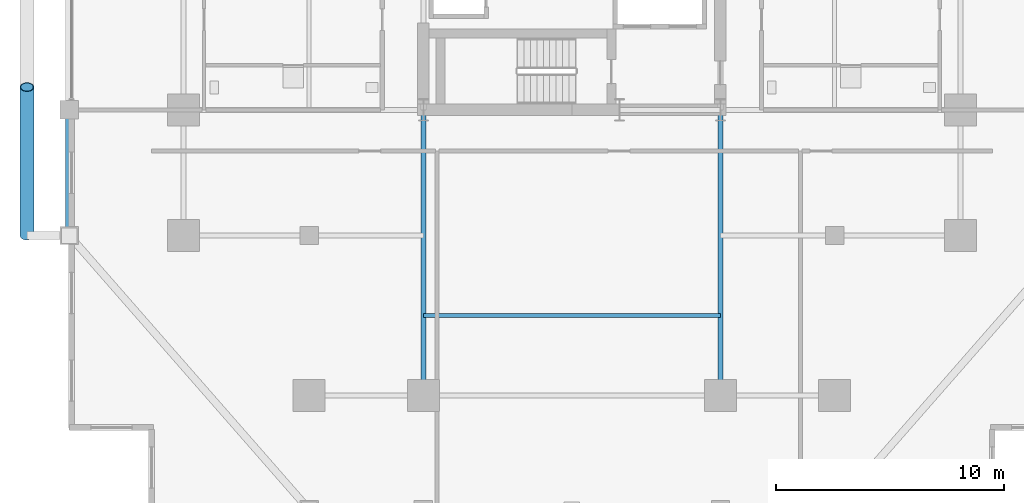
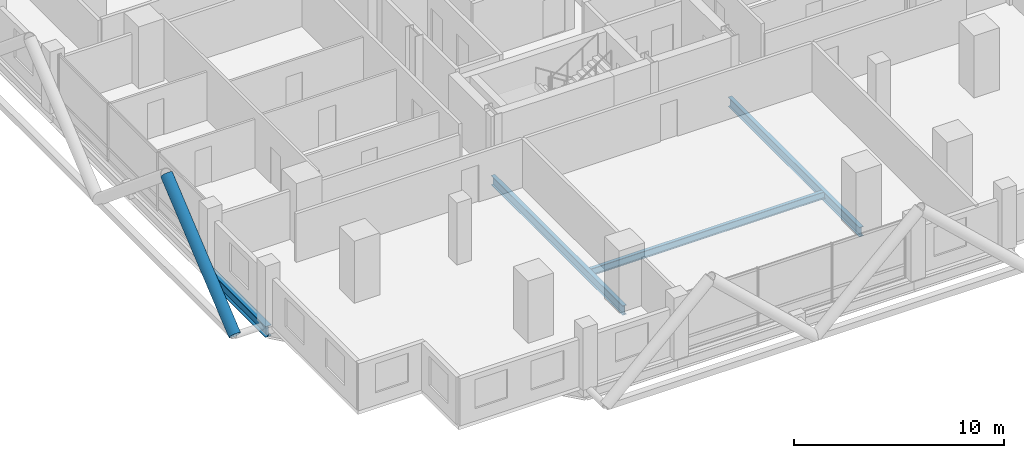
# One storey, part 5 of 27: 4 beams, 1 member.
"""IFC4 building model written with IfcOpenShell, lengths in metres."""

from ifc_helpers import new_model, si_unit, direction, frame, origin, origin_2d, place, context, subcontext, project, spatial, hollow_circle, i_section, extrude, material, material_profile, profile_set, type_object, element, save


model = new_model("IFC4")

# Units and contexts
model_context = context("Model", 3, precision=1e-05, world=origin(), true_north=direction((0.0, 1.0)))
body_context = subcontext(model_context, "Body", "Model", "MODEL_VIEW")
ifc_project = project(units=[si_unit("LENGTHUNIT", "METRE"), si_unit("AREAUNIT", "SQUARE_METRE"), si_unit("VOLUMEUNIT", "CUBIC_METRE"), si_unit("PLANEANGLEUNIT", "RADIAN"), si_unit("MASSUNIT", "GRAM", prefix="KILO")], contexts=[model_context])

# Site, building, storey
site_placement = place(None, origin())
site = spatial("IfcSite", under=ifc_project, at=site_placement, CompositionType="ELEMENT")
building_placement = place(site_placement, origin())
building = spatial("IfcBuilding", under=site, at=building_placement, Name="Barlavira Tower and Art Museum", CompositionType="ELEMENT")
storey_placement = place(building_placement, frame((0.0, 0.0, 61.199951171875)))
storey = spatial("IfcBuildingStorey", under=building, at=storey_placement, Name="L14", CompositionType="ELEMENT", Elevation=61.199951171875)

# Member
ifc_material = material(Name="Steel S355", Category="steel")
ifc_material_profile_1 = material_profile(ifc_material, hollow_circle(Radius=0.304931640625, WallThickness=0.028076171875, at=origin_2d()), Name="CHS 610.0x28.0")
ifc_profile_set_1 = profile_set([ifc_material_profile_1], Name="Steel S355")
member_type = type_object("IfcMemberType", Name="Pale-Metal Exoskeleton Diagrid Tube CHS 610x28 Steel S355", PredefinedType="BRACE", material=ifc_profile_set_1)
member_placement = place(storey_placement, frame((-23.85009765625, -13.0, -0.119873046875), z_axis=(0.0, 0.769196053329, 0.639012857104), x_axis=(-1.0, 0.0, 0.0)))
element("IfcMember", 1, at=member_placement, inside=storey, type_object=member_type, Name="L14 Exoskeleton Diagrid Tube W", PredefinedType="BRACE", context=body_context, shape_type="SweptSolid", body=[
    extrude(hollow_circle(Radius=0.304931640625, WallThickness=0.028076171875, at=origin_2d()), origin(), (0.0, 0.0, 1.0), 8.450439453125),
])

# Beams
ifc_material_profile_2 = material_profile(ifc_material, i_section(OverallWidth=0.327880859375, OverallDepth=0.62890625, WebThickness=0.013916015625, FlangeThickness=0.021484375, at=origin_2d()), Name="W610x174.0")
ifc_profile_set_2 = profile_set([ifc_material_profile_2], Name="Steel S355")
beam_type_1 = type_object("IfcBeamType", Name="Perimeter Spandrel Edge Beam W610x174 Steel S355", PredefinedType="SPANDREL", material=ifc_profile_set_2)
beam_1_placement = place(storey_placement, frame((-22.0, -13.0, -0.534423828125), z_axis=(0.0, 1.0, 0.0), x_axis=(-1.0, 0.0, 0.0)))
element("IfcBeam", 2, at=beam_1_placement, inside=storey, type_object=beam_type_1, Name="L14 Spandrel 15", PredefinedType="SPANDREL", context=body_context, shape_type="SweptSolid", body=[
    extrude(i_section(OverallWidth=0.327880859375, OverallDepth=0.62890625, WebThickness=0.013916015625, FlangeThickness=0.021484375, at=origin_2d()), origin(), (0.0, 0.0, 1.0), 5.5),
])
ifc_material_profile_3 = material_profile(ifc_material, i_section(OverallWidth=0.180908203125, OverallDepth=0.4169921875, WebThickness=0.010986328125, FlangeThickness=0.018310546875, at=origin_2d()), Name="W410x85.0")
ifc_profile_set_3 = profile_set([ifc_material_profile_3], Name="Steel S355")
beam_type_2 = type_object("IfcBeamType", Name="Zone 1 Composite Floor Joist W410x85 Steel S355", PredefinedType="JOIST", material=ifc_profile_set_3)
beam_2_placement = place(storey_placement, frame((-6.5, -16.5, -0.428466796875), z_axis=(1.0, 0.0, 0.0), x_axis=(0.0, 1.0, 0.0)))
element("IfcBeam", 3, at=beam_2_placement, inside=storey, type_object=beam_type_2, Name="L14 Joist C1", PredefinedType="JOIST", context=body_context, shape_type="SweptSolid", body=[
    extrude(i_section(OverallWidth=0.180908203125, OverallDepth=0.4169921875, WebThickness=0.010986328125, FlangeThickness=0.018310546875, at=origin_2d()), origin(), (0.0, 0.0, 1.0), 13.0),
])
ifc_material_profile_4 = material_profile(ifc_material, i_section(OverallWidth=0.214111328125, OverallDepth=0.549072265625, WebThickness=0.0146484375, FlangeThickness=0.023681640625, at=origin_2d()), Name="W530x138.0")
ifc_profile_set_4 = profile_set([ifc_material_profile_4], Name="Steel S355")
beam_type_3 = type_object("IfcBeamType", Name="Zone 1 Primary Floor Girder W530x138 Steel S355", PredefinedType="BEAM", material=ifc_profile_set_4)
for number, where, z_axis, x_axis, name in (
    (4, (-6.5, -20.0, -0.494384765625), (0.0, 1.0, 0.0), (-1.0, 0.0, 0.0), "L14 Girder R-S1"),
    (5, (6.5, -20.0, -0.494384765625), (0.0, 1.0, 0.0), (-1.0, 0.0, 0.0), "L14 Girder R-S2"),
):
    element("IfcBeam", number, at=place(storey_placement, frame(where, z_axis=z_axis, x_axis=x_axis)), inside=storey, type_object=beam_type_3, Name=name, PredefinedType="BEAM", context=body_context, shape_type="SweptSolid", body=[
        extrude(i_section(OverallWidth=0.214111328125, OverallDepth=0.549072265625, WebThickness=0.0146484375, FlangeThickness=0.023681640625, at=origin_2d()), origin(), (0.0, 0.0, 1.0), 12.5),
    ])

save(model, "model.ifc")
